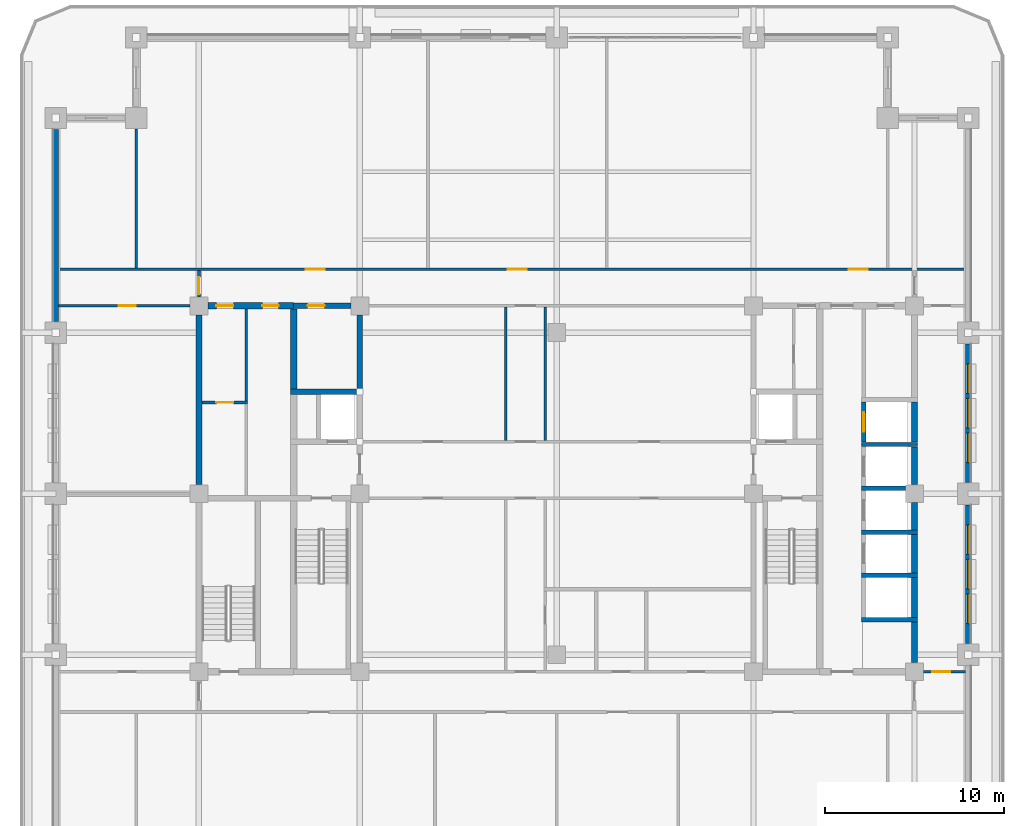
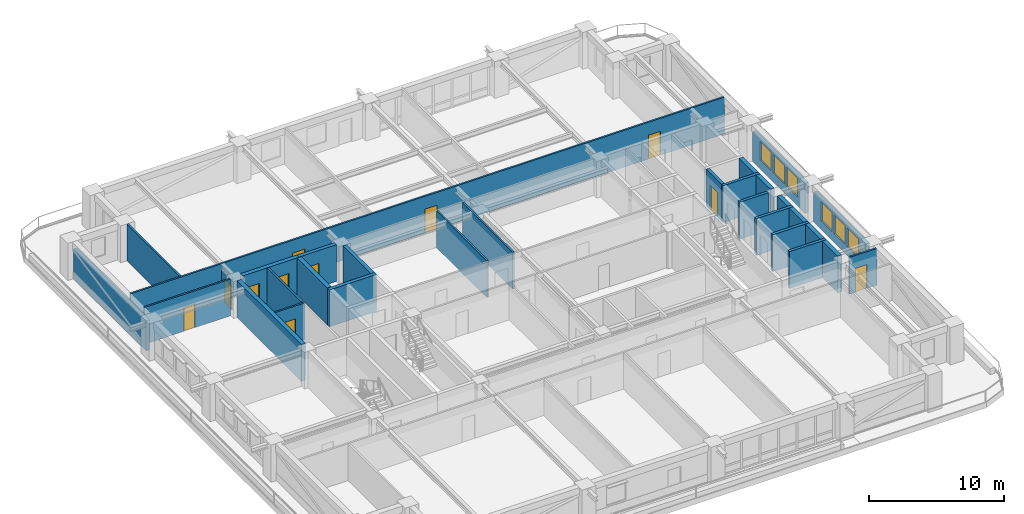
# One storey, part 10 of 20: 30 walls, 11 doors, 6 windows, 17 openings.
"""IFC4 building model written with IfcOpenShell, lengths in metres."""

from ifc_helpers import new_model, si_unit, direction, frame, frame_2d, origin, place, context, subcontext, project, spatial, rectangle, extrude, material, layer, layer_set, type_object, element, fill, save


model = new_model("IFC4")

# Units and contexts
model_context = context("Model", 3, precision=1e-05, world=origin(), true_north=direction((0.0, 1.0)))
body_context = subcontext(model_context, "Body", "Model", "MODEL_VIEW")
ifc_project = project(units=[si_unit("LENGTHUNIT", "METRE"), si_unit("AREAUNIT", "SQUARE_METRE"), si_unit("VOLUMEUNIT", "CUBIC_METRE"), si_unit("PLANEANGLEUNIT", "RADIAN"), si_unit("MASSUNIT", "GRAM", prefix="KILO")], contexts=[model_context])

# Site, building, storey
site_placement = place(None, origin())
site = spatial("IfcSite", under=ifc_project, at=site_placement, CompositionType="ELEMENT")
building_placement = place(site_placement, origin())
building = spatial("IfcBuilding", under=site, at=building_placement, Name="Zulmaris Gate Convention Tower", CompositionType="ELEMENT")
storey_placement = place(building_placement, frame((0.0, 0.0, 142.769775390625)))
storey = spatial("IfcBuildingStorey", under=building, at=storey_placement, Name="L36", CompositionType="ELEMENT", Elevation=142.769775390625)

# Walls
ifc_material_1 = material(Name="Concrete C50/60", Category="concrete")
ifc_layer_1 = layer(ifc_material_1, 0.25, Name="Concrete C50/60")
ifc_layer_set_1 = layer_set([ifc_layer_1], Name="Concrete C50/60")
wall_type_1 = type_object("IfcWallType", Name="CORE-250", PredefinedType="SOLIDWALL", material=ifc_layer_set_1)
for number, where, z_axis, x_axis, name in (
    (1, (17.02490234375, -7.050048828125, 0.0), (0.0, 0.0, 1.0), (1.0, 0.0, 0.0), "WL-L36-005"),
    (2, (17.02490234375, -4.550048828125, 0.0), (0.0, 0.0, 1.0), (1.0, 0.0, 0.0), "WL-L36-006"),
    (3, (17.02490234375, -2.14990234375, 0.0), (0.0, 0.0, 1.0), (1.0, 0.0, 0.0), "WL-L36-007"),
):
    element("IfcWall", number, at=place(storey_placement, frame(where, z_axis=z_axis, x_axis=x_axis)), inside=storey, type_object=wall_type_1, Name=name, PredefinedType="SOLIDWALL", context=body_context, shape_type="SweptSolid", body=[
        extrude(rectangle(XDim=3.150146484375, YDim=0.25, at=frame_2d((1.5751953125, 0.0))), origin(), (0.0, 0.0, 1.0), 3.320068359375),
    ])
wall_1_placement = place(storey_placement, frame((17.02490234375, 0.300048828125, 0.0), z_axis=(0.0, 0.0, 1.0), x_axis=(1.0, 0.0, 0.0)))
element("IfcWall", 4, at=wall_1_placement, inside=storey, type_object=wall_type_1, Name="WL-L36-010", PredefinedType="SOLIDWALL", context=body_context, shape_type="SweptSolid", body=[
    extrude(rectangle(XDim=2.47119140625, YDim=0.25, at=frame_2d((1.235595703125, 0.0))), origin(), (0.0, 0.0, 1.0), 3.320068359375),
])
wall_2_placement = place(storey_placement, frame((17.02490234375, 2.75, 0.0), z_axis=(0.0, 0.0, 1.0), x_axis=(1.0, 0.0, 0.0)))
element("IfcWall", 5, at=wall_2_placement, inside=storey, type_object=wall_type_1, Name="WL-L36-011", PredefinedType="SOLIDWALL", context=body_context, shape_type="SweptSolid", body=[
    extrude(rectangle(XDim=3.150146484375, YDim=0.25, at=frame_2d((1.5751953125, 0.0))), origin(), (0.0, 0.0, 1.0), 3.320068359375),
])

# Wall, opening, door
wall_3_placement = place(storey_placement, frame((17.14990234375, 2.876953125, 0.0), z_axis=(0.0, 0.0, 1.0), x_axis=(0.0, 1.0, 0.0)))
wall_3 = element("IfcWall", 6, at=wall_3_placement, inside=storey, type_object=wall_type_1, Name="WL-L36-061", PredefinedType="SOLIDWALL", context=body_context, shape_type="SweptSolid", body=[
    extrude(rectangle(XDim=2.24609375, YDim=0.25, at=frame_2d((1.123046875, 0.0))), origin(), (0.0, 0.0, 1.0), 3.320068359375),
])
opening_1_placement = place(wall_3_placement, frame((0.572998046875, 0.0, 0.0)))
opening_1 = element("IfcOpeningElement", 7, at=opening_1_placement, cuts=wall_3, Name="Opening D-06", PredefinedType="OPENING", context=body_context, shape_type="SweptSolid", body=[
    extrude(rectangle(XDim=1.10009765625, YDim=2.199951171875, at=frame_2d((0.550048828125, 1.10009765625))), frame((0.0, 0.135009765625, 0.0), z_axis=(0.0, -1.0, 0.0), x_axis=(1.0, 0.0, 0.0)), (0.0, 0.0, 1.0), 0.27001953125),
])
ifc_material_2 = material(Name="Brushed Stainless Steel", Category="steel")
door_type_1 = type_object("IfcDoorType", Name="LD-1100", OperationType="NOTDEFINED", PredefinedType="DOOR", material=ifc_material_2)
door_1_placement = place(opening_1_placement, origin())
door_1 = element("IfcDoor", 8, at=door_1_placement, inside=storey, type_object=door_type_1, Name="L36 Lift Landing Door MP-04 17", OperationType="SLIDING_TO_RIGHT", OverallHeight=2.199951171875, OverallWidth=1.10009765625, PredefinedType="DOOR", context=body_context, shape_type="SweptSolid", body=[
    extrude(rectangle(XDim=1.10009765625, YDim=2.199951171875, at=frame_2d((0.550048828125, 1.10009765625))), frame((0.0, 0.02490234375, 0.0), z_axis=(0.0, -1.0, 0.0), x_axis=(1.0, 0.0, 0.0)), (0.0, 0.0, 1.0), 0.050048828125),
])
fill(opening_1, door_1)

# Wall
ifc_layer_2 = layer(ifc_material_1, 0.300048828125, Name="Concrete C50/60")
ifc_layer_set_2 = layer_set([ifc_layer_2], Name="Concrete C50/60")
wall_type_2 = type_object("IfcWallType", Name="CORE-300", PredefinedType="SHEAR", material=ifc_layer_set_2)
wall_4_placement = place(storey_placement, frame((-14.875, 5.699951171875, 0.0), z_axis=(0.0, 0.0, 1.0), x_axis=(1.0, 0.0, 0.0)))
element("IfcWall", 9, at=wall_4_placement, inside=storey, type_object=wall_type_2, Name="WL-L36-015", PredefinedType="SHEAR", context=body_context, shape_type="SweptSolid", body=[
    extrude(rectangle(XDim=4.02490234375, YDim=0.300048828125, at=frame_2d((2.012451171875, 0.0))), origin(), (0.0, 0.0, 1.0), 3.320068359375),
])

# Wall, opening, door
wall_5_placement = place(storey_placement, frame((-14.699951171875, 10.5, 0.0), z_axis=(0.0, 0.0, 1.0), x_axis=(1.0, 0.0, 0.0)))
wall_5 = element("IfcWall", 10, at=wall_5_placement, inside=storey, type_object=wall_type_2, Name="WL-L36-018", PredefinedType="SHEAR", context=body_context, shape_type="SweptSolid", body=[
    extrude(rectangle(XDim=3.196044921875, YDim=0.300048828125, at=frame_2d((1.59814453125, 0.0))), origin(), (0.0, 0.0, 1.0), 3.320068359375),
])
opening_2_placement = place(wall_5_placement, frame((0.77490234375, 0.0, 0.0)))
opening_2 = element("IfcOpeningElement", 11, at=opening_2_placement, cuts=wall_5, Name="Opening D-11", PredefinedType="OPENING", context=body_context, shape_type="SweptSolid", body=[
    extrude(rectangle(XDim=0.949951171875, YDim=2.14990234375, at=frame_2d((0.47509765625, 1.074951171875))), frame((0.0, 0.16015625, 0.0), z_axis=(0.0, -1.0, 0.0), x_axis=(1.0, 0.0, 0.0)), (0.0, 0.0, 1.0), 0.320068359375),
])
ifc_material_3 = material(Name="Fire-Rated Timber", Category="wood")
door_type_2 = type_object("IfcDoorType", Name="DR-950-FD", OperationType="NOTDEFINED", PredefinedType="DOOR", material=ifc_material_3)
door_2_placement = place(opening_2_placement, origin())
door_2 = element("IfcDoor", 12, at=door_2_placement, inside=storey, type_object=door_type_2, Name="L36 Core Archive Door 07", OperationType="SINGLE_SWING_LEFT", OverallHeight=2.14990234375, OverallWidth=0.949951171875, PredefinedType="DOOR", context=body_context, shape_type="SweptSolid", body=[
    extrude(rectangle(XDim=0.949951171875, YDim=2.14990234375, at=frame_2d((0.47509765625, 1.074951171875))), frame((0.0, 0.02490234375, 0.0), z_axis=(0.0, -1.0, 0.0), x_axis=(1.0, 0.0, 0.0)), (0.0, 0.0, 1.0), 0.050048828125),
])
fill(opening_2, door_2)

# Wall
wall_6_placement = place(storey_placement, frame((-11.0, 5.85205078125, 0.0), z_axis=(0.0, 0.0, 1.0), x_axis=(0.0, 1.0, 0.0)))
element("IfcWall", 13, at=wall_6_placement, inside=storey, type_object=wall_type_2, Name="WL-L36-046", PredefinedType="SHEAR", context=body_context, shape_type="SweptSolid", body=[
    extrude(rectangle(XDim=4.14404296875, YDim=0.300048828125, at=frame_2d((2.072021484375, 0.0))), origin(), (0.0, 0.0, 1.0), 3.320068359375),
])

# Wall, openings, doors
ifc_material_4 = material(Name="Concrete C55/67", Category="concrete")
ifc_layer_3 = layer(ifc_material_4, 0.35009765625, Name="Concrete C55/67")
ifc_layer_set_3 = layer_set([ifc_layer_3], Name="Concrete C55/67")
wall_type_3 = type_object("IfcWallType", Name="CORE-350", PredefinedType="SHEAR", material=ifc_layer_set_3)
wall_7_placement = place(storey_placement, frame((-19.49609375, 10.5, 0.0), z_axis=(0.0, 0.0, 1.0), x_axis=(1.0, 0.0, 0.0)))
wall_7 = element("IfcWall", 14, at=wall_7_placement, inside=storey, type_object=wall_type_3, Name="WL-L36-017", PredefinedType="SHEAR", context=body_context, shape_type="SweptSolid", body=[
    extrude(rectangle(XDim=4.796142578125, YDim=0.35009765625, at=frame_2d((2.39794921875, 0.0))), origin(), (0.0, 0.0, 1.0), 3.320068359375),
])
opening_3_placement = place(wall_7_placement, frame((0.470947265625, 0.0, 0.0)))
opening_3 = element("IfcOpeningElement", 15, at=opening_3_placement, cuts=wall_7, Name="Opening D-11", PredefinedType="OPENING", context=body_context, shape_type="SweptSolid", body=[
    extrude(rectangle(XDim=0.949951171875, YDim=2.14990234375, at=frame_2d((0.47509765625, 1.074951171875))), frame((0.0, 0.18505859375, 0.0), z_axis=(0.0, -1.0, 0.0), x_axis=(1.0, 0.0, 0.0)), (0.0, 0.0, 1.0), 0.3701171875),
])
opening_4_placement = place(wall_7_placement, frame((3.0458984375, 0.0, 0.0)))
opening_4 = element("IfcOpeningElement", 16, at=opening_4_placement, cuts=wall_7, Name="Opening D-12", PredefinedType="OPENING", context=body_context, shape_type="SweptSolid", body=[
    extrude(rectangle(XDim=0.89990234375, YDim=2.14990234375, at=frame_2d((0.449951171875, 1.074951171875))), frame((0.0, 0.18505859375, 0.0), z_axis=(0.0, -1.0, 0.0), x_axis=(1.0, 0.0, 0.0)), (0.0, 0.0, 1.0), 0.3701171875),
])
door_type_3 = type_object("IfcDoorType", Name="DR-900-FD", OperationType="NOTDEFINED", PredefinedType="DOOR", material=ifc_material_3)
door_3_placement = place(opening_4_placement, origin())
door_3 = element("IfcDoor", 17, at=door_3_placement, inside=storey, type_object=door_type_3, Name="L36 Staff WC Door 13", OperationType="SINGLE_SWING_LEFT", OverallHeight=2.14990234375, OverallWidth=0.89990234375, PredefinedType="DOOR", context=body_context, shape_type="SweptSolid", body=[
    extrude(rectangle(XDim=0.89990234375, YDim=2.14990234375, at=frame_2d((0.449951171875, 1.074951171875))), frame((0.0, 0.02490234375, 0.0), z_axis=(0.0, -1.0, 0.0), x_axis=(1.0, 0.0, 0.0)), (0.0, 0.0, 1.0), 0.050048828125),
])
fill(opening_4, door_3)
door_4_placement = place(opening_3_placement, origin())
door_4 = element("IfcDoor", 18, at=door_4_placement, inside=storey, type_object=door_type_2, Name="L36 Linen Store Door 11", OperationType="SINGLE_SWING_LEFT", OverallHeight=2.14990234375, OverallWidth=0.949951171875, PredefinedType="DOOR", context=body_context, shape_type="SweptSolid", body=[
    extrude(rectangle(XDim=0.949951171875, YDim=2.14990234375, at=frame_2d((0.47509765625, 1.074951171875))), frame((0.0, 0.02490234375, 0.0), z_axis=(0.0, -1.0, 0.0), x_axis=(1.0, 0.0, 0.0)), (0.0, 0.0, 1.0), 0.050048828125),
])
fill(opening_3, door_4)

# Walls
wall_8_placement = place(storey_placement, frame((-20.0, 0.50390625, 0.0), z_axis=(0.0, 0.0, 1.0), x_axis=(0.0, 1.0, 0.0)))
element("IfcWall", 19, at=wall_8_placement, inside=storey, type_object=wall_type_3, Name="WL-L36-035", PredefinedType="SHEAR", context=body_context, shape_type="SweptSolid", body=[
    extrude(rectangle(XDim=9.4921875, YDim=0.35009765625, at=frame_2d((4.74609375, 0.0))), origin(), (0.0, 0.0, 1.0), 3.320068359375),
])
wall_9_placement = place(storey_placement, frame((-14.699951171875, 5.85205078125, 0.0), z_axis=(0.0, 0.0, 1.0), x_axis=(0.0, 1.0, 0.0)))
element("IfcWall", 20, at=wall_9_placement, inside=storey, type_object=wall_type_3, Name="WL-L36-040", PredefinedType="SHEAR", context=body_context, shape_type="SweptSolid", body=[
    extrude(rectangle(XDim=4.470947265625, YDim=0.35009765625, at=frame_2d((2.2353515625, 0.0))), origin(), (0.0, 0.0, 1.0), 3.320068359375),
])
wall_10_placement = place(storey_placement, frame((20.0, -9.446044921875, 0.0), z_axis=(0.0, 0.0, 1.0), x_axis=(0.0, 1.0, 0.0)))
element("IfcWall", 21, at=wall_10_placement, inside=storey, type_object=wall_type_3, Name="WL-L36-062", PredefinedType="SHEAR", context=body_context, shape_type="SweptSolid", body=[
    extrude(rectangle(XDim=2.26904296875, YDim=0.35009765625, at=frame_2d((1.134521484375, 0.0))), origin(), (0.0, 0.0, 1.0), 3.320068359375),
])
wall_11_placement = place(storey_placement, frame((20.0, -6.923095703125, 0.0), z_axis=(0.0, 0.0, 1.0), x_axis=(0.0, 1.0, 0.0)))
element("IfcWall", 22, at=wall_11_placement, inside=storey, type_object=wall_type_3, Name="WL-L36-063", PredefinedType="SHEAR", context=body_context, shape_type="SweptSolid", body=[
    extrude(rectangle(XDim=2.24609375, YDim=0.35009765625, at=frame_2d((1.123046875, 0.0))), origin(), (0.0, 0.0, 1.0), 3.320068359375),
])
wall_12_placement = place(storey_placement, frame((20.0, -4.423095703125, 0.0), z_axis=(0.0, 0.0, 1.0), x_axis=(0.0, 1.0, 0.0)))
element("IfcWall", 23, at=wall_12_placement, inside=storey, type_object=wall_type_3, Name="WL-L36-064", PredefinedType="SHEAR", context=body_context, shape_type="SweptSolid", body=[
    extrude(rectangle(XDim=2.14599609375, YDim=0.35009765625, at=frame_2d((1.072998046875, 0.0))), origin(), (0.0, 0.0, 1.0), 3.320068359375),
])
wall_13_placement = place(storey_placement, frame((20.0, -2.02294921875, 0.0), z_axis=(0.0, 0.0, 1.0), x_axis=(0.0, 1.0, 0.0)))
element("IfcWall", 24, at=wall_13_placement, inside=storey, type_object=wall_type_3, Name="WL-L36-065", PredefinedType="SHEAR", context=body_context, shape_type="SweptSolid", body=[
    extrude(rectangle(XDim=1.51904296875, YDim=0.35009765625, at=frame_2d((0.759521484375, 0.0))), origin(), (0.0, 0.0, 1.0), 3.320068359375),
])
wall_14_placement = place(storey_placement, frame((20.0, 0.50390625, 0.0), z_axis=(0.0, 0.0, 1.0), x_axis=(0.0, 1.0, 0.0)))
element("IfcWall", 25, at=wall_14_placement, inside=storey, type_object=wall_type_3, Name="WL-L36-066", PredefinedType="SHEAR", context=body_context, shape_type="SweptSolid", body=[
    extrude(rectangle(XDim=2.119140625, YDim=0.35009765625, at=frame_2d((1.0595703125, 0.0))), origin(), (0.0, 0.0, 1.0), 3.320068359375),
])
wall_15_placement = place(storey_placement, frame((20.0, 2.876953125, 0.0), z_axis=(0.0, 0.0, 1.0), x_axis=(0.0, 1.0, 0.0)))
element("IfcWall", 26, at=wall_15_placement, inside=storey, type_object=wall_type_3, Name="WL-L36-067", PredefinedType="SHEAR", context=body_context, shape_type="SweptSolid", body=[
    extrude(rectangle(XDim=2.24609375, YDim=0.35009765625, at=frame_2d((1.123046875, 0.0))), origin(), (0.0, 0.0, 1.0), 3.320068359375),
])

# Wall, opening, door
ifc_material_5 = material(Name="Gypsum Metal Stud Partition")
ifc_layer_4 = layer(ifc_material_5, 0.14990234375, Name="Gypsum Metal Stud Partition")
ifc_layer_set_4 = layer_set([ifc_layer_4], Name="Gypsum Metal Stud Partition")
wall_type_4 = type_object("IfcWallType", Name="PART-150", PredefinedType="PARTITIONING", material=ifc_layer_set_4)
wall_16_placement = place(storey_placement, frame((20.506103515625, -9.949951171875, 0.0), z_axis=(0.0, 0.0, 1.0), x_axis=(1.0, 0.0, 0.0)))
wall_16 = element("IfcWall", 27, at=wall_16_placement, inside=storey, type_object=wall_type_4, Name="WL-L36-024", PredefinedType="PARTITIONING", context=body_context, shape_type="SweptSolid", body=[
    extrude(rectangle(XDim=2.328857421875, YDim=0.14990234375, at=frame_2d((1.16455078125, 0.0))), origin(), (0.0, 0.0, 1.0), 3.320068359375),
])
opening_5_placement = place(wall_16_placement, frame((0.493896484375, 0.0, 0.0)))
opening_5 = element("IfcOpeningElement", 28, at=opening_5_placement, cuts=wall_16, Name="Opening D-10", PredefinedType="OPENING", context=body_context, shape_type="SweptSolid", body=[
    extrude(rectangle(XDim=1.0, YDim=2.14990234375, at=frame_2d((0.5, 1.074951171875))), frame((0.0, 0.0849609375, 0.0), z_axis=(0.0, -1.0, 0.0), x_axis=(1.0, 0.0, 0.0)), (0.0, 0.0, 1.0), 0.169921875),
])
door_type_4 = type_object("IfcDoorType", Name="DR-1000-FD", OperationType="NOTDEFINED", PredefinedType="DOOR", material=ifc_material_3)
door_5_placement = place(opening_5_placement, origin())
door_5 = element("IfcDoor", 29, at=door_5_placement, inside=storey, type_object=door_type_4, Name="L36 East Workplace South Door 46", OperationType="SINGLE_SWING_RIGHT", OverallHeight=2.14990234375, OverallWidth=1.0, PredefinedType="DOOR", context=body_context, shape_type="SweptSolid", body=[
    extrude(rectangle(XDim=1.0, YDim=2.14990234375, at=frame_2d((0.5, 1.074951171875))), frame((0.0, 0.02490234375, 0.0), z_axis=(0.0, -1.0, 0.0), x_axis=(1.0, 0.0, 0.0)), (0.0, 0.0, 1.0), 0.050048828125),
])
fill(opening_5, door_5)

wall_17_placement = place(storey_placement, frame((-19.822021484375, 5.10009765625, 0.0), z_axis=(0.0, 0.0, 1.0), x_axis=(1.0, 0.0, 0.0)))
wall_17 = element("IfcWall", 30, at=wall_17_placement, inside=storey, type_object=wall_type_4, Name="WL-L36-029", PredefinedType="PARTITIONING", context=body_context, shape_type="SweptSolid", body=[
    extrude(rectangle(XDim=2.547119140625, YDim=0.14990234375, at=frame_2d((1.2734375, 0.0))), origin(), (0.0, 0.0, 1.0), 3.320068359375),
])
opening_6_placement = place(wall_17_placement, frame((0.797119140625, 0.0, 0.0)))
opening_6 = element("IfcOpeningElement", 31, at=opening_6_placement, cuts=wall_17, Name="Opening D-11", PredefinedType="OPENING", context=body_context, shape_type="SweptSolid", body=[
    extrude(rectangle(XDim=0.949951171875, YDim=2.14990234375, at=frame_2d((0.47509765625, 1.074951171875))), frame((0.0, 0.0849609375, 0.0), z_axis=(0.0, -1.0, 0.0), x_axis=(1.0, 0.0, 0.0)), (0.0, 0.0, 1.0), 0.169921875),
])
door_6_placement = place(opening_6_placement, origin())
door_6 = element("IfcDoor", 32, at=door_6_placement, inside=storey, type_object=door_type_2, Name="L36 Equipment Store Door 12", OperationType="SINGLE_SWING_RIGHT", OverallHeight=2.14990234375, OverallWidth=0.949951171875, PredefinedType="DOOR", context=body_context, shape_type="SweptSolid", body=[
    extrude(rectangle(XDim=0.949951171875, YDim=2.14990234375, at=frame_2d((0.47509765625, 1.074951171875))), frame((0.0, 0.02490234375, 0.0), z_axis=(0.0, -1.0, 0.0), x_axis=(1.0, 0.0, 0.0)), (0.0, 0.0, 1.0), 0.050048828125),
])
fill(opening_6, door_6)

wall_18_placement = place(storey_placement, frame((-27.8349609375, 10.5, 0.0), z_axis=(0.0, 0.0, 1.0), x_axis=(1.0, 0.0, 0.0)))
wall_18 = element("IfcWall", 33, at=wall_18_placement, inside=storey, type_object=wall_type_4, Name="WL-L36-030", PredefinedType="PARTITIONING", context=body_context, shape_type="SweptSolid", body=[
    extrude(rectangle(XDim=7.328857421875, YDim=0.14990234375, at=frame_2d((3.66455078125, 0.0))), origin(), (0.0, 0.0, 1.0), 3.320068359375),
])
opening_7_placement = place(wall_18_placement, frame((3.360107421875, 0.0, 0.0)))
opening_7 = element("IfcOpeningElement", 34, at=opening_7_placement, cuts=wall_18, Name="Opening D-11", PredefinedType="OPENING", context=body_context, shape_type="SweptSolid", body=[
    extrude(rectangle(XDim=0.949951171875, YDim=2.14990234375, at=frame_2d((0.47509765625, 1.074951171875))), frame((0.0, 0.0849609375, 0.0), z_axis=(0.0, -1.0, 0.0), x_axis=(1.0, 0.0, 0.0)), (0.0, 0.0, 1.0), 0.169921875),
])
door_7_placement = place(opening_7_placement, origin())
door_7 = element("IfcDoor", 35, at=door_7_placement, inside=storey, type_object=door_type_2, Name="L36 NW Partner Door 41", OperationType="SINGLE_SWING_LEFT", OverallHeight=2.14990234375, OverallWidth=0.949951171875, PredefinedType="DOOR", context=body_context, shape_type="SweptSolid", body=[
    extrude(rectangle(XDim=0.949951171875, YDim=2.14990234375, at=frame_2d((0.47509765625, 1.074951171875))), frame((0.0, 0.02490234375, 0.0), z_axis=(0.0, -1.0, 0.0), x_axis=(1.0, 0.0, 0.0)), (0.0, 0.0, 1.0), 0.050048828125),
])
fill(opening_7, door_7)

# Wall, openings, doors
wall_19_placement = place(storey_placement, frame((-27.8349609375, 12.550048828125, 0.0), z_axis=(0.0, 0.0, 1.0), x_axis=(1.0, 0.0, 0.0)))
wall_19 = element("IfcWall", 36, at=wall_19_placement, inside=storey, type_object=wall_type_4, Name="WL-L36-033", PredefinedType="PARTITIONING", context=body_context, shape_type="SweptSolid", body=[
    extrude(rectangle(XDim=50.669921875, YDim=0.14990234375, at=frame_2d((25.3349609375, 0.0))), origin(), (0.0, 0.0, 1.0), 3.320068359375),
])
opening_8_placement = place(wall_19_placement, frame((13.81005859375, 0.0, 0.0)))
opening_8 = element("IfcOpeningElement", 37, at=opening_8_placement, cuts=wall_19, Name="Opening D-09", PredefinedType="OPENING", context=body_context, shape_type="SweptSolid", body=[
    extrude(rectangle(XDim=1.050048828125, YDim=2.14990234375, at=frame_2d((0.52490234375, 1.074951171875))), frame((0.0, 0.0849609375, 0.0), z_axis=(0.0, -1.0, 0.0), x_axis=(1.0, 0.0, 0.0)), (0.0, 0.0, 1.0), 0.169921875),
])
opening_9_placement = place(wall_19_placement, frame((25.110107421875, 0.0, 0.0)))
opening_9 = element("IfcOpeningElement", 38, at=opening_9_placement, cuts=wall_19, Name="Opening D-09", PredefinedType="OPENING", context=body_context, shape_type="SweptSolid", body=[
    extrude(rectangle(XDim=1.050048828125, YDim=2.14990234375, at=frame_2d((0.52490234375, 1.074951171875))), frame((0.0, 0.0849609375, 0.0), z_axis=(0.0, -1.0, 0.0), x_axis=(1.0, 0.0, 0.0)), (0.0, 0.0, 1.0), 0.169921875),
])
opening_10_placement = place(wall_19_placement, frame((44.159912109375, 0.0, 0.0)))
opening_10 = element("IfcOpeningElement", 39, at=opening_10_placement, cuts=wall_19, Name="Opening D-09", PredefinedType="OPENING", context=body_context, shape_type="SweptSolid", body=[
    extrude(rectangle(XDim=1.050048828125, YDim=2.14990234375, at=frame_2d((0.52490234375, 1.074951171875))), frame((0.0, 0.0849609375, 0.0), z_axis=(0.0, -1.0, 0.0), x_axis=(1.0, 0.0, 0.0)), (0.0, 0.0, 1.0), 0.169921875),
])
ifc_material_6 = material(Name="Fire-Rated Steel", Category="steel")
door_type_5 = type_object("IfcDoorType", Name="DR-1050-FD", OperationType="NOTDEFINED", PredefinedType="DOOR", material=ifc_material_6)
door_8_placement = place(opening_8_placement, origin())
door_8 = element("IfcDoor", 40, at=door_8_placement, inside=storey, type_object=door_type_5, Name="L36 Executive Boardroom Door 25", OperationType="SINGLE_SWING_LEFT", OverallHeight=2.14990234375, OverallWidth=1.050048828125, PredefinedType="DOOR", context=body_context, shape_type="SweptSolid", body=[
    extrude(rectangle(XDim=1.050048828125, YDim=2.14990234375, at=frame_2d((0.52490234375, 1.074951171875))), frame((0.0, 0.02490234375, 0.0), z_axis=(0.0, -1.0, 0.0), x_axis=(1.0, 0.0, 0.0)), (0.0, 0.0, 1.0), 0.050048828125),
])
fill(opening_8, door_8)
door_9_placement = place(opening_9_placement, origin())
door_9 = element("IfcDoor", 41, at=door_9_placement, inside=storey, type_object=door_type_5, Name="L36 Corporate Strategy Office Door 26", OperationType="SINGLE_SWING_RIGHT", OverallHeight=2.14990234375, OverallWidth=1.050048828125, PredefinedType="DOOR", context=body_context, shape_type="SweptSolid", body=[
    extrude(rectangle(XDim=1.050048828125, YDim=2.14990234375, at=frame_2d((0.52490234375, 1.074951171875))), frame((0.0, 0.02490234375, 0.0), z_axis=(0.0, -1.0, 0.0), x_axis=(1.0, 0.0, 0.0)), (0.0, 0.0, 1.0), 0.050048828125),
])
fill(opening_9, door_9)
door_10_placement = place(opening_10_placement, origin())
door_10 = element("IfcDoor", 42, at=door_10_placement, inside=storey, type_object=door_type_5, Name="L36 Project Advisory Studio Door 27", OperationType="SINGLE_SWING_LEFT", OverallHeight=2.14990234375, OverallWidth=1.050048828125, PredefinedType="DOOR", context=body_context, shape_type="SweptSolid", body=[
    extrude(rectangle(XDim=1.050048828125, YDim=2.14990234375, at=frame_2d((0.52490234375, 1.074951171875))), frame((0.0, 0.02490234375, 0.0), z_axis=(0.0, -1.0, 0.0), x_axis=(1.0, 0.0, 0.0)), (0.0, 0.0, 1.0), 0.050048828125),
])
fill(opening_10, door_10)

# Wall
wall_20_placement = place(storey_placement, frame((-23.5, 12.6279296875, 0.0), z_axis=(0.0, 0.0, 1.0), x_axis=(0.0, 1.0, 0.0)))
element("IfcWall", 43, at=wall_20_placement, inside=storey, type_object=wall_type_4, Name="WL-L36-070", PredefinedType="PARTITIONING", context=body_context, shape_type="SweptSolid", body=[
    extrude(rectangle(XDim=7.76611328125, YDim=0.14990234375, at=frame_2d((3.883056640625, 0.0))), origin(), (0.0, 0.0, 1.0), 3.320068359375),
])

# Wall, opening, door
wall_21_placement = place(storey_placement, frame((-20.0, 11.006103515625, 0.0), z_axis=(0.0, 0.0, 1.0), x_axis=(0.0, 1.0, 0.0)))
wall_21 = element("IfcWall", 44, at=wall_21_placement, inside=storey, type_object=wall_type_4, Name="WL-L36-072", PredefinedType="PARTITIONING", context=body_context, shape_type="SweptSolid", body=[
    extrude(rectangle(XDim=1.4658203125, YDim=0.14990234375, at=frame_2d((0.73291015625, 0.0))), origin(), (0.0, 0.0, 1.0), 2.81005859375),
])
opening_11_placement = place(wall_21_placement, frame((0.14990234375, 0.0, 0.0)))
opening_11 = element("IfcOpeningElement", 45, at=opening_11_placement, cuts=wall_21, Name="Opening D-11", PredefinedType="OPENING", context=body_context, shape_type="SweptSolid", body=[
    extrude(rectangle(XDim=0.949951171875, YDim=2.14990234375, at=frame_2d((0.47509765625, 1.074951171875))), frame((0.0, 0.0849609375, 0.0), z_axis=(0.0, -1.0, 0.0), x_axis=(1.0, 0.0, 0.0)), (0.0, 0.0, 1.0), 0.169921875),
])
door_11_placement = place(opening_11_placement, origin())
door_11 = element("IfcDoor", 46, at=door_11_placement, inside=storey, type_object=door_type_2, Name="L36 NW Spur Door 39", OperationType="SINGLE_SWING_LEFT", OverallHeight=2.14990234375, OverallWidth=0.949951171875, PredefinedType="DOOR", context=body_context, shape_type="SweptSolid", body=[
    extrude(rectangle(XDim=0.949951171875, YDim=2.14990234375, at=frame_2d((0.47509765625, 1.074951171875))), frame((0.0, 0.02490234375, 0.0), z_axis=(0.0, -1.0, 0.0), x_axis=(1.0, 0.0, 0.0)), (0.0, 0.0, 1.0), 0.050048828125),
])
fill(opening_11, door_11)

# Walls
wall_22_placement = place(storey_placement, frame((-17.35009765625, 5.177978515625, 0.0), z_axis=(0.0, 0.0, 1.0), x_axis=(0.0, 1.0, 0.0)))
element("IfcWall", 47, at=wall_22_placement, inside=storey, type_object=wall_type_4, Name="WL-L36-074", PredefinedType="PARTITIONING", context=body_context, shape_type="SweptSolid", body=[
    extrude(rectangle(XDim=5.14404296875, YDim=0.14990234375, at=frame_2d((2.572021484375, 0.0))), origin(), (0.0, 0.0, 1.0), 3.320068359375),
])
for number, where, z_axis, x_axis, name in (
    (48, (-2.85009765625, 2.97802734375, 0.0), (0.0, 0.0, 1.0), (0.0, 1.0, 0.0), "WL-L36-078"),
    (49, (-0.64990234375, 2.97802734375, 0.0), (0.0, 0.0, 1.0), (0.0, 1.0, 0.0), "WL-L36-081"),
):
    element("IfcWall", number, at=place(storey_placement, frame(where, z_axis=z_axis, x_axis=x_axis)), inside=storey, type_object=wall_type_4, Name=name, PredefinedType="PARTITIONING", context=body_context, shape_type="SweptSolid", body=[
        extrude(rectangle(XDim=7.444091796875, YDim=0.14990234375, at=frame_2d((3.72216796875, 0.0))), origin(), (0.0, 0.0, 1.0), 3.320068359375),
    ])

# Wall, openings, windows
ifc_material_7 = material(Name="Precast concrete C40/50", Category="concrete")
ifc_layer_5 = layer(ifc_material_7, 0.300048828125, Name="Precast concrete C40/50")
ifc_layer_set_5 = layer_set([ifc_layer_5], Name="Precast concrete C40/50")
wall_type_5 = type_object("IfcWallType", Name="PRECAST-PIER-300", PredefinedType="STANDARD", material=ifc_layer_set_5)
wall_23_placement = place(storey_placement, frame((23.0, -8.3701171875, 0.0), z_axis=(0.0, 0.0, 1.0), x_axis=(0.0, 1.0, 0.0)))
wall_23 = element("IfcWall", 50, at=wall_23_placement, inside=storey, type_object=wall_type_5, Name="EW-L36-E-1_0", PredefinedType="STANDARD", context=body_context, shape_type="SweptSolid", body=[
    extrude(rectangle(XDim=7.740234375, YDim=0.300048828125, at=frame_2d((3.8701171875, 0.0))), origin(), (0.0, 0.0, 1.0), 2.7119140625),
])
opening_12_placement = place(wall_23_placement, frame((1.110107421875, 0.0, 0.800048828125)))
opening_12 = element("IfcOpeningElement", 51, at=opening_12_placement, cuts=wall_23, Name="Opening W-08", PredefinedType="OPENING", context=body_context, shape_type="SweptSolid", body=[
    extrude(rectangle(XDim=1.64990234375, YDim=1.699951171875, at=frame_2d((0.824951171875, 0.85009765625))), frame((0.0, 0.16015625, 0.0), z_axis=(0.0, -1.0, 0.0), x_axis=(1.0, 0.0, 0.0)), (0.0, 0.0, 1.0), 0.320068359375),
])
opening_13_placement = place(wall_23_placement, frame((3.044921875, 0.0, 0.800048828125)))
opening_13 = element("IfcOpeningElement", 52, at=opening_13_placement, cuts=wall_23, Name="Opening W-08", PredefinedType="OPENING", context=body_context, shape_type="SweptSolid", body=[
    extrude(rectangle(XDim=1.64990234375, YDim=1.699951171875, at=frame_2d((0.824951171875, 0.85009765625))), frame((0.0, 0.16015625, 0.0), z_axis=(0.0, -1.0, 0.0), x_axis=(1.0, 0.0, 0.0)), (0.0, 0.0, 1.0), 0.320068359375),
])
opening_14_placement = place(wall_23_placement, frame((4.97998046875, 0.0, 0.800048828125)))
opening_14 = element("IfcOpeningElement", 53, at=opening_14_placement, cuts=wall_23, Name="Opening W-08", PredefinedType="OPENING", context=body_context, shape_type="SweptSolid", body=[
    extrude(rectangle(XDim=1.64990234375, YDim=1.699951171875, at=frame_2d((0.824951171875, 0.85009765625))), frame((0.0, 0.16015625, 0.0), z_axis=(0.0, -1.0, 0.0), x_axis=(1.0, 0.0, 0.0)), (0.0, 0.0, 1.0), 0.320068359375),
])
ifc_material_8 = material(Name="Low-E Laminated Double Glazing in Aluminium Frame", Category="aluminium")
window_type = type_object("IfcWindowType", Name="WIN-1650x2150", PartitioningType="SINGLE_PANEL", PredefinedType="WINDOW", material=ifc_material_8)
window_1_placement = place(opening_12_placement, origin())
window_1 = element("IfcWindow", 54, at=window_1_placement, inside=storey, type_object=window_type, Name="WN-EW-L36-E-1_0-1", OverallHeight=1.699951171875, OverallWidth=1.64990234375, PartitioningType="SINGLE_PANEL", PredefinedType="WINDOW", context=body_context, shape_type="SweptSolid", body=[
    extrude(rectangle(XDim=1.64990234375, YDim=1.699951171875, at=frame_2d((0.824951171875, 0.85009765625))), frame((0.0, 0.030029296875, 0.0), z_axis=(0.0, -1.0, 0.0), x_axis=(1.0, 0.0, 0.0)), (0.0, 0.0, 1.0), 0.06005859375),
])
fill(opening_12, window_1)
window_2_placement = place(opening_13_placement, origin())
window_2 = element("IfcWindow", 55, at=window_2_placement, inside=storey, type_object=window_type, Name="WN-EW-L36-E-1_0-2", OverallHeight=1.699951171875, OverallWidth=1.64990234375, PartitioningType="SINGLE_PANEL", PredefinedType="WINDOW", context=body_context, shape_type="SweptSolid", body=[
    extrude(rectangle(XDim=1.64990234375, YDim=1.699951171875, at=frame_2d((0.824951171875, 0.85009765625))), frame((0.0, 0.030029296875, 0.0), z_axis=(0.0, -1.0, 0.0), x_axis=(1.0, 0.0, 0.0)), (0.0, 0.0, 1.0), 0.06005859375),
])
fill(opening_13, window_2)
window_3_placement = place(opening_14_placement, origin())
window_3 = element("IfcWindow", 56, at=window_3_placement, inside=storey, type_object=window_type, Name="WN-EW-L36-E-1_0-3", OverallHeight=1.699951171875, OverallWidth=1.64990234375, PartitioningType="SINGLE_PANEL", PredefinedType="WINDOW", context=body_context, shape_type="SweptSolid", body=[
    extrude(rectangle(XDim=1.64990234375, YDim=1.699951171875, at=frame_2d((0.824951171875, 0.85009765625))), frame((0.0, 0.030029296875, 0.0), z_axis=(0.0, -1.0, 0.0), x_axis=(1.0, 0.0, 0.0)), (0.0, 0.0, 1.0), 0.06005859375),
])
fill(opening_14, window_3)

wall_24_placement = place(storey_placement, frame((23.0, 0.6298828125, 0.0), z_axis=(0.0, 0.0, 1.0), x_axis=(0.0, 1.0, 0.0)))
wall_24 = element("IfcWall", 57, at=wall_24_placement, inside=storey, type_object=wall_type_5, Name="EW-L36-E-2_0", PredefinedType="STANDARD", context=body_context, shape_type="SweptSolid", body=[
    extrude(rectangle(XDim=7.740234375, YDim=0.300048828125, at=frame_2d((3.8701171875, 0.0))), origin(), (0.0, 0.0, 1.0), 2.7119140625),
])
opening_15_placement = place(wall_24_placement, frame((1.110107421875, 0.0, 0.800048828125)))
opening_15 = element("IfcOpeningElement", 58, at=opening_15_placement, cuts=wall_24, Name="Opening W-08", PredefinedType="OPENING", context=body_context, shape_type="SweptSolid", body=[
    extrude(rectangle(XDim=1.64990234375, YDim=1.699951171875, at=frame_2d((0.824951171875, 0.85009765625))), frame((0.0, 0.16015625, 0.0), z_axis=(0.0, -1.0, 0.0), x_axis=(1.0, 0.0, 0.0)), (0.0, 0.0, 1.0), 0.320068359375),
])
opening_16_placement = place(wall_24_placement, frame((3.044921875, 0.0, 0.800048828125)))
opening_16 = element("IfcOpeningElement", 59, at=opening_16_placement, cuts=wall_24, Name="Opening W-08", PredefinedType="OPENING", context=body_context, shape_type="SweptSolid", body=[
    extrude(rectangle(XDim=1.64990234375, YDim=1.699951171875, at=frame_2d((0.824951171875, 0.85009765625))), frame((0.0, 0.16015625, 0.0), z_axis=(0.0, -1.0, 0.0), x_axis=(1.0, 0.0, 0.0)), (0.0, 0.0, 1.0), 0.320068359375),
])
opening_17_placement = place(wall_24_placement, frame((4.97998046875, 0.0, 0.800048828125)))
opening_17 = element("IfcOpeningElement", 60, at=opening_17_placement, cuts=wall_24, Name="Opening W-08", PredefinedType="OPENING", context=body_context, shape_type="SweptSolid", body=[
    extrude(rectangle(XDim=1.64990234375, YDim=1.699951171875, at=frame_2d((0.824951171875, 0.85009765625))), frame((0.0, 0.16015625, 0.0), z_axis=(0.0, -1.0, 0.0), x_axis=(1.0, 0.0, 0.0)), (0.0, 0.0, 1.0), 0.320068359375),
])
window_4_placement = place(opening_15_placement, origin())
window_4 = element("IfcWindow", 61, at=window_4_placement, inside=storey, type_object=window_type, Name="WN-EW-L36-E-2_0-1", OverallHeight=1.699951171875, OverallWidth=1.64990234375, PartitioningType="SINGLE_PANEL", PredefinedType="WINDOW", context=body_context, shape_type="SweptSolid", body=[
    extrude(rectangle(XDim=1.64990234375, YDim=1.699951171875, at=frame_2d((0.824951171875, 0.85009765625))), frame((0.0, 0.030029296875, 0.0), z_axis=(0.0, -1.0, 0.0), x_axis=(1.0, 0.0, 0.0)), (0.0, 0.0, 1.0), 0.06005859375),
])
fill(opening_15, window_4)
window_5_placement = place(opening_16_placement, origin())
window_5 = element("IfcWindow", 62, at=window_5_placement, inside=storey, type_object=window_type, Name="WN-EW-L36-E-2_0-2", OverallHeight=1.699951171875, OverallWidth=1.64990234375, PartitioningType="SINGLE_PANEL", PredefinedType="WINDOW", context=body_context, shape_type="SweptSolid", body=[
    extrude(rectangle(XDim=1.64990234375, YDim=1.699951171875, at=frame_2d((0.824951171875, 0.85009765625))), frame((0.0, 0.030029296875, 0.0), z_axis=(0.0, -1.0, 0.0), x_axis=(1.0, 0.0, 0.0)), (0.0, 0.0, 1.0), 0.06005859375),
])
fill(opening_16, window_5)
window_6_placement = place(opening_17_placement, origin())
window_6 = element("IfcWindow", 63, at=window_6_placement, inside=storey, type_object=window_type, Name="WN-EW-L36-E-2_0-3", OverallHeight=1.699951171875, OverallWidth=1.64990234375, PartitioningType="SINGLE_PANEL", PredefinedType="WINDOW", context=body_context, shape_type="SweptSolid", body=[
    extrude(rectangle(XDim=1.64990234375, YDim=1.699951171875, at=frame_2d((0.824951171875, 0.85009765625))), frame((0.0, 0.030029296875, 0.0), z_axis=(0.0, -1.0, 0.0), x_axis=(1.0, 0.0, 0.0)), (0.0, 0.0, 1.0), 0.06005859375),
])
fill(opening_17, window_6)

# Wall
wall_25_placement = place(storey_placement, frame((-28.0, 20.3701171875, 0.0), z_axis=(0.0, 0.0, 1.0), x_axis=(0.0, -1.0, 0.0)))
element("IfcWall", 64, at=wall_25_placement, inside=storey, type_object=wall_type_5, Name="EW-L36-W-3_0", PredefinedType="STANDARD", context=body_context, shape_type="SweptSolid", body=[
    extrude(rectangle(XDim=10.740234375, YDim=0.300048828125, at=frame_2d((5.3701171875, 0.0))), origin(), (0.0, 0.0, 1.0), 2.7119140625),
])

save(model, "model.ifc")
